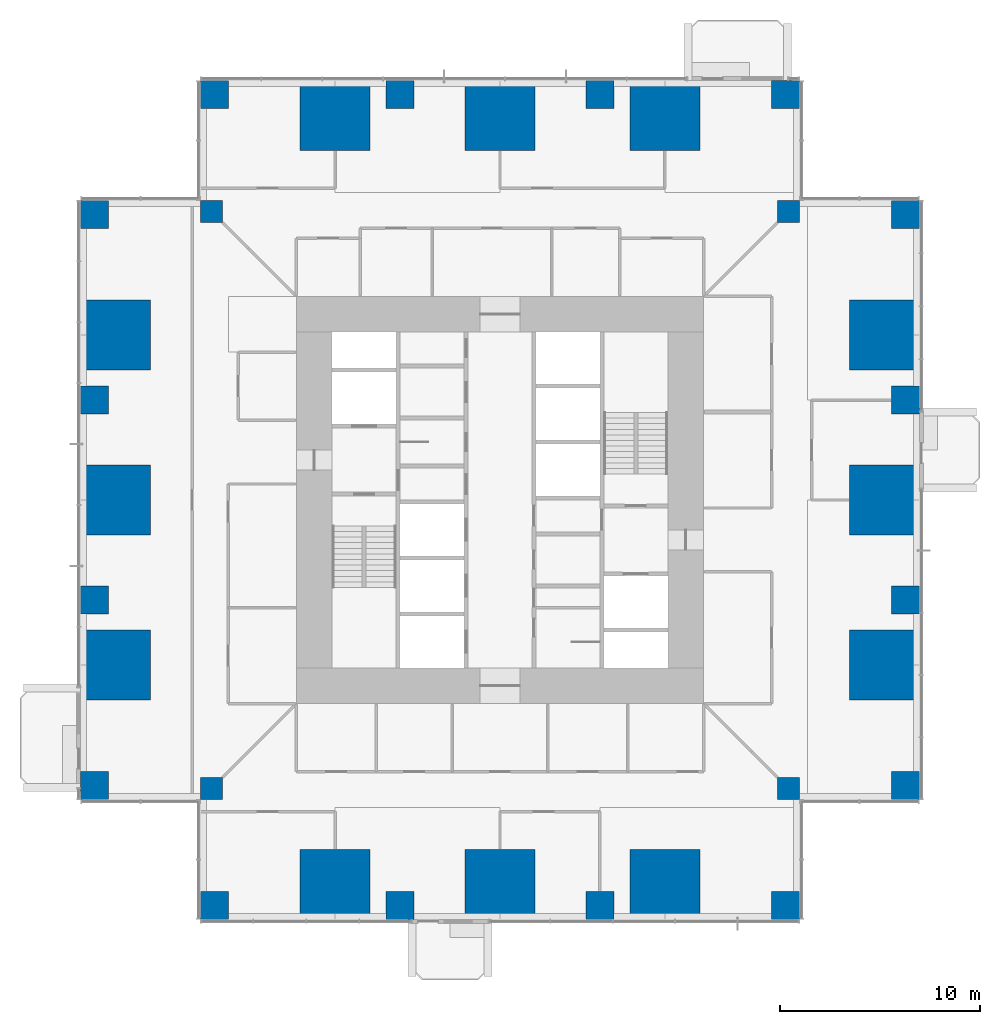
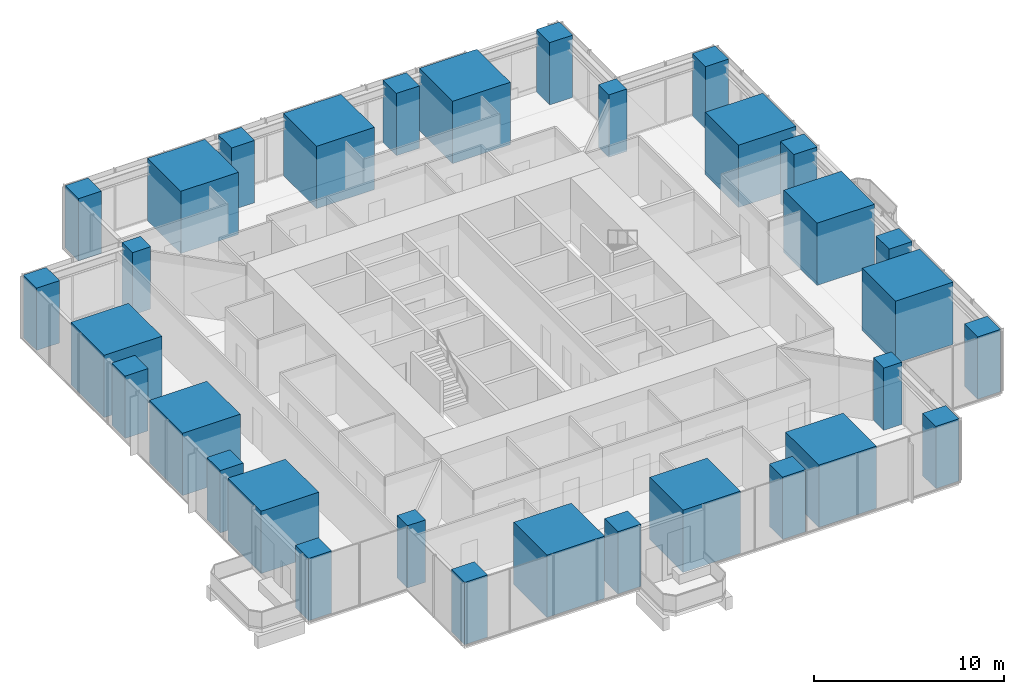
# One storey, part 1 of 18: 32 columns.
"""IFC4 building model written with IfcOpenShell, lengths in metres."""

from ifc_helpers import new_model, si_unit, direction, frame, origin, origin_2d, place, context, subcontext, project, spatial, rectangle, extrude, material, material_profile, profile_set, type_object, element, save


model = new_model("IFC4")

# Units and contexts
model_context = context("Model", 3, precision=1e-05, world=origin(), true_north=direction((0.0, 1.0)))
body_context = subcontext(model_context, "Body", "Model", "MODEL_VIEW")
ifc_project = project(units=[si_unit("LENGTHUNIT", "METRE"), si_unit("AREAUNIT", "SQUARE_METRE"), si_unit("VOLUMEUNIT", "CUBIC_METRE"), si_unit("PLANEANGLEUNIT", "RADIAN"), si_unit("MASSUNIT", "GRAM", prefix="KILO")], contexts=[model_context])

# Site, building, storey
site_placement = place(None, origin())
site = spatial("IfcSite", under=ifc_project, at=site_placement, CompositionType="ELEMENT")
building_placement = place(site_placement, origin())
building = spatial("IfcBuilding", under=site, at=building_placement, Name="Svetlomir Tower", CompositionType="ELEMENT")
storey_placement = place(building_placement, frame((0.0, 0.0, 46.5)))
storey = spatial("IfcBuildingStorey", under=building, at=storey_placement, Name="L10", CompositionType="ELEMENT", Elevation=46.5)

# Columns
ifc_material_1 = material(Name="Concrete C60/75", Category="concrete")
ifc_material_profile_1 = material_profile(ifc_material_1, rectangle(XDim=1.10009765625, YDim=1.10009765625, at=origin_2d()), Name="RC 1100x1100")
ifc_profile_set_1 = profile_set([ifc_material_profile_1], Name="Concrete C60/75")
column_type_1 = type_object("IfcColumnType", Name="COLUMN RC 1100x1100", PredefinedType="COLUMN", material=ifc_profile_set_1)
for number, where, z_axis, x_axis, name in (
    (1, (6.550048828125, 6.550048828125, 0.0), (0.0, 0.0, 1.0), (1.0, 0.0, 0.0), "Column 6/6 L10"),
    (2, (35.449951171875, 6.550048828125, 0.0), (0.0, 0.0, 1.0), (1.0, 0.0, 0.0), "Column 36/6 L10"),
    (3, (6.550048828125, 35.449951171875, 0.0), (0.0, 0.0, 1.0), (1.0, 0.0, 0.0), "Column 6/36 L10"),
    (4, (35.449951171875, 35.449951171875, 0.0), (0.0, 0.0, 1.0), (1.0, 0.0, 0.0), "Column 36/36 L10"),
):
    element("IfcColumn", number, at=place(storey_placement, frame(where, z_axis=z_axis, x_axis=x_axis)), inside=storey, type_object=column_type_1, Name=name, PredefinedType="COLUMN", context=body_context, shape_type="SweptSolid", body=[
        extrude(rectangle(XDim=1.10009765625, YDim=1.10009765625, at=origin_2d()), origin(), (0.0, 0.0, 1.0), 4.0),
    ])
ifc_material_2 = material(Name="Concrete C60/75", Category="concrete")
ifc_material_profile_2 = material_profile(ifc_material_2, rectangle(XDim=1.39990234375, YDim=1.39990234375, at=origin_2d()), Name="RC 1400x1400")
ifc_profile_set_2 = profile_set([ifc_material_profile_2], Name="Concrete C60/75")
column_type_2 = type_object("IfcColumnType", Name="COLUMN RC 1400x1400", PredefinedType="COLUMN", material=ifc_profile_set_2)
for number, where, z_axis, x_axis, name in (
    (5, (6.699951171875, 0.699951171875, 0.0), (0.0, 0.0, 1.0), (1.0, 0.0, 0.0), "Column 6/0 L10"),
    (6, (16.0, 0.699951171875, 0.0), (0.0, 0.0, 1.0), (1.0, 0.0, 0.0), "Column 16/0 L10"),
    (7, (26.0, 0.699951171875, 0.0), (0.0, 0.0, 1.0), (1.0, 0.0, 0.0), "Column 26/0 L10"),
    (8, (35.300048828125, 0.699951171875, 0.0), (0.0, 0.0, 1.0), (1.0, 0.0, 0.0), "Column 36/0 L10"),
    (9, (0.699951171875, 6.699951171875, 0.0), (0.0, 0.0, 1.0), (1.0, 0.0, 0.0), "Column 0/6 L10"),
    (10, (41.300048828125, 6.699951171875, 0.0), (0.0, 0.0, 1.0), (1.0, 0.0, 0.0), "Column 42/6 L10"),
    (11, (0.699951171875, 16.0, 0.0), (0.0, 0.0, 1.0), (1.0, 0.0, 0.0), "Column 0/16 L10"),
    (12, (41.300048828125, 16.0, 0.0), (0.0, 0.0, 1.0), (1.0, 0.0, 0.0), "Column 42/16 L10"),
    (13, (0.699951171875, 26.0, 0.0), (0.0, 0.0, 1.0), (1.0, 0.0, 0.0), "Column 0/26 L10"),
    (14, (41.300048828125, 26.0, 0.0), (0.0, 0.0, 1.0), (1.0, 0.0, 0.0), "Column 42/26 L10"),
    (15, (0.699951171875, 35.300048828125, 0.0), (0.0, 0.0, 1.0), (1.0, 0.0, 0.0), "Column 0/36 L10"),
    (16, (41.300048828125, 35.300048828125, 0.0), (0.0, 0.0, 1.0), (1.0, 0.0, 0.0), "Column 42/36 L10"),
    (17, (6.699951171875, 41.300048828125, 0.0), (0.0, 0.0, 1.0), (1.0, 0.0, 0.0), "Column 6/42 L10"),
    (18, (16.0, 41.300048828125, 0.0), (0.0, 0.0, 1.0), (1.0, 0.0, 0.0), "Column 16/42 L10"),
    (19, (26.0, 41.300048828125, 0.0), (0.0, 0.0, 1.0), (1.0, 0.0, 0.0), "Column 26/42 L10"),
    (20, (35.300048828125, 41.300048828125, 0.0), (0.0, 0.0, 1.0), (1.0, 0.0, 0.0), "Column 36/42 L10"),
):
    element("IfcColumn", number, at=place(storey_placement, frame(where, z_axis=z_axis, x_axis=x_axis)), inside=storey, type_object=column_type_2, Name=name, PredefinedType="COLUMN", context=body_context, shape_type="SweptSolid", body=[
        extrude(rectangle(XDim=1.39990234375, YDim=1.39990234375, at=origin_2d()), origin(), (0.0, 0.0, 1.0), 4.0),
    ])
ifc_material_3 = material(Name="Concrete C60/75", Category="concrete")
ifc_material_profile_3 = material_profile(ifc_material_3, rectangle(XDim=3.5, YDim=3.5, at=origin_2d()), Name="RC 3500x3500")
ifc_profile_set_3 = profile_set([ifc_material_profile_3], Name="Concrete C60/75")
column_type_3 = type_object("IfcColumnType", Name="COLUMN RC 3500x3500", PredefinedType="COLUMN", material=ifc_profile_set_3)
for number, where, z_axis, x_axis, name in (
    (21, (12.75, 1.75, 0.0), (0.0, 0.0, 1.0), (1.0, 0.0, 0.0), "Column 11/0 L10"),
    (22, (21.0, 1.75, 0.0), (0.0, 0.0, 1.0), (1.0, 0.0, 0.0), "Column 21/0 L10"),
    (23, (29.25, 1.75, 0.0), (0.0, 0.0, 1.0), (1.0, 0.0, 0.0), "Column 31/0 L10"),
    (24, (1.75, 12.75, 0.0), (0.0, 0.0, 1.0), (1.0, 0.0, 0.0), "Column 0/11 L10"),
    (25, (40.25, 12.75, 0.0), (0.0, 0.0, 1.0), (1.0, 0.0, 0.0), "Column 42/11 L10"),
    (26, (1.75, 21.0, 0.0), (0.0, 0.0, 1.0), (1.0, 0.0, 0.0), "Column 0/21 L10"),
    (27, (40.25, 21.0, 0.0), (0.0, 0.0, 1.0), (1.0, 0.0, 0.0), "Column 42/21 L10"),
    (28, (1.75, 29.25, 0.0), (0.0, 0.0, 1.0), (1.0, 0.0, 0.0), "Column 0/31 L10"),
    (29, (40.25, 29.25, 0.0), (0.0, 0.0, 1.0), (1.0, 0.0, 0.0), "Column 42/31 L10"),
    (30, (12.75, 40.25, 0.0), (0.0, 0.0, 1.0), (1.0, 0.0, 0.0), "Column 11/42 L10"),
    (31, (21.0, 40.25, 0.0), (0.0, 0.0, 1.0), (1.0, 0.0, 0.0), "Column 21/42 L10"),
    (32, (29.25, 40.25, 0.0), (0.0, 0.0, 1.0), (1.0, 0.0, 0.0), "Column 31/42 L10"),
):
    element("IfcColumn", number, at=place(storey_placement, frame(where, z_axis=z_axis, x_axis=x_axis)), inside=storey, type_object=column_type_3, Name=name, PredefinedType="COLUMN", context=body_context, shape_type="SweptSolid", body=[
        extrude(rectangle(XDim=3.5, YDim=3.5, at=origin_2d()), origin(), (0.0, 0.0, 1.0), 4.0),
    ])

save(model, "model.ifc")
